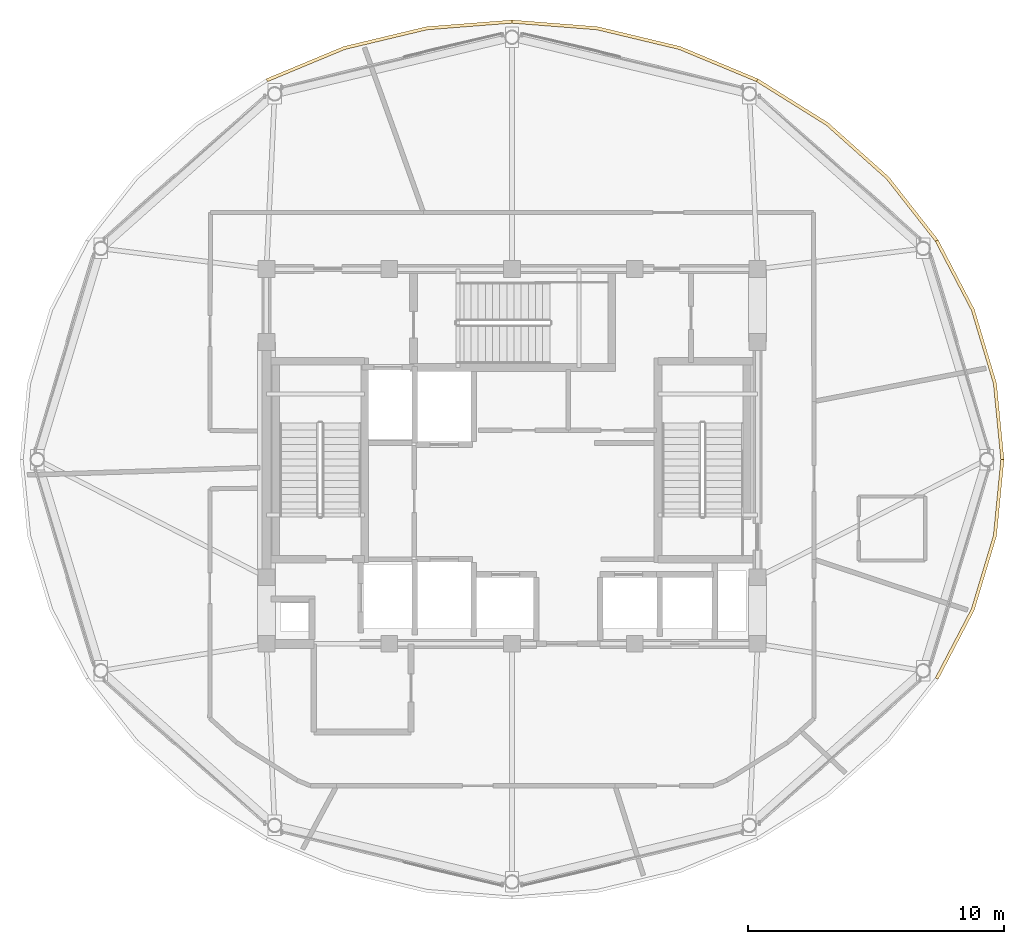
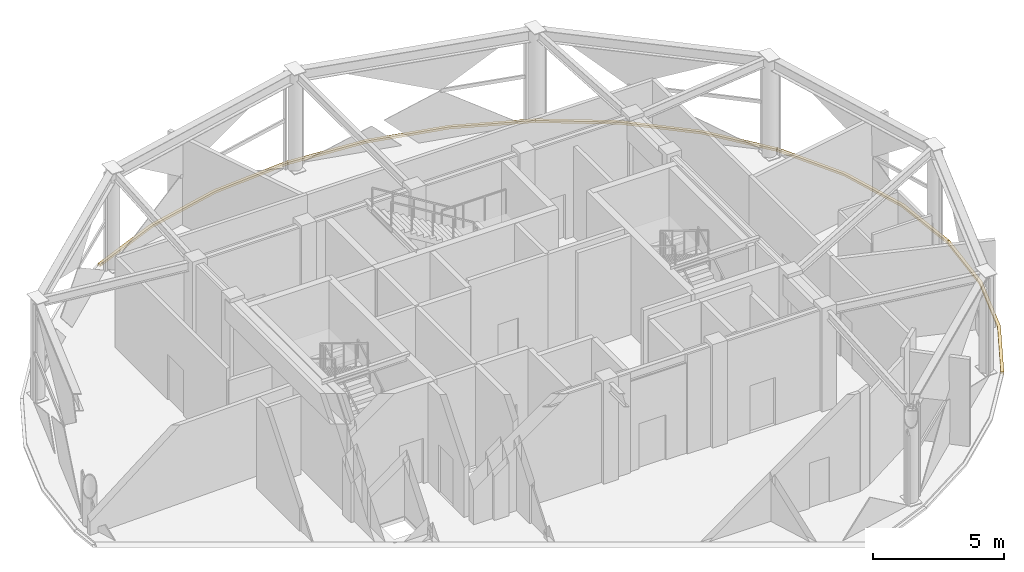
# One storey, part 22 of 22: 5 coverings.
"""IFC4 building model written with IfcOpenShell, lengths in metres."""

from ifc_helpers import new_model, si_unit, direction, frame, origin, place, context, subcontext, project, spatial, polyline, outline, extrude, material, layer, layer_set, type_object, element, save


model = new_model("IFC4")

# Units and contexts
model_context = context("Model", 3, precision=1e-05, world=origin(), true_north=direction((0.0, 1.0)))
body_context = subcontext(model_context, "Body", "Model", "MODEL_VIEW")
ifc_project = project(units=[si_unit("LENGTHUNIT", "METRE"), si_unit("AREAUNIT", "SQUARE_METRE"), si_unit("VOLUMEUNIT", "CUBIC_METRE"), si_unit("PLANEANGLEUNIT", "RADIAN"), si_unit("MASSUNIT", "GRAM", prefix="KILO")], contexts=[model_context])

# Site, building, storey
site_placement = place(None, origin())
site = spatial("IfcSite", under=ifc_project, at=site_placement, CompositionType="ELEMENT")
building_placement = place(site_placement, origin())
building = spatial("IfcBuilding", under=site, at=building_placement, Name="Vantalir Tower", CompositionType="ELEMENT")
storey_placement = place(building_placement, frame((0.0, 0.0, 294.89990234375)))
storey = spatial("IfcBuildingStorey", under=building, at=storey_placement, Name="L74", CompositionType="ELEMENT", Elevation=294.89990234375)

# Coverings
ifc_material = material(Name="Anodised champagne aluminium sill fascia", Category="aluminium")
ifc_layer = layer(ifc_material, 0.125)
ifc_layer_set = layer_set([ifc_layer], Name="Anodised champagne aluminium sill fascia")
covering_type = type_object("IfcCoveringType", Name="COV-SLAB-FASCIA-125", PredefinedType="CLADDING", material=ifc_layer_set)
covering_1_placement = place(storey_placement, frame((0.0, 0.0, -0.179931640625)))
element("IfcCovering", 1, at=covering_1_placement, inside=storey, type_object=covering_type, Name="L74 Perimeter Slab-Edge Sill Fascia 01", PredefinedType="CLADDING", context=body_context, shape_type="SweptSolid", body=[
    extrude(outline(polyline([(50.735107421875, 25.0), (50.443115234375, 27.98388671875), (49.574951171875, 30.8779296875), (48.157958984375, 33.593017578125), (48.050048828125, 33.531005859375), (49.4580078125, 30.8359375), (50.320068359375, 27.962890625), (50.610107421875, 25.0), (50.735107421875, 25.0)])), origin(), (0.0, 0.0, 1.0), 0.10498046875),
])
covering_2_placement = place(storey_placement, frame((0.0, 0.0, -0.179931640625)))
element("IfcCovering", 2, at=covering_2_placement, inside=storey, type_object=covering_type, Name="L74 Perimeter Slab-Edge Sill Fascia 02", PredefinedType="CLADDING", context=body_context, shape_type="SweptSolid", body=[
    extrude(outline(polyline([(48.157958984375, 33.593017578125), (46.235107421875, 36.048095703125), (43.864013671875, 38.166015625), (41.117919921875, 39.884033203125), (41.054931640625, 39.77587890625), (43.783935546875, 38.070068359375), (46.138916015625, 35.967041015625), (48.050048828125, 33.531005859375), (48.157958984375, 33.593017578125)])), origin(), (0.0, 0.0, 1.0), 0.10498046875),
])
covering_3_placement = place(storey_placement, frame((0.0, 0.0, -0.179931640625)))
element("IfcCovering", 3, at=covering_3_placement, inside=storey, type_object=covering_type, Name="L74 Perimeter Slab-Edge Sill Fascia 03", PredefinedType="CLADDING", context=body_context, shape_type="SweptSolid", body=[
    extrude(outline(polyline([(41.117919921875, 39.884033203125), (38.0791015625, 41.14990234375), (34.840087890625, 41.926025390625), (31.5, 42.18701171875), (31.5, 42.06201171875), (34.818115234375, 41.802978515625), (38.035888671875, 41.032958984375), (41.054931640625, 39.77587890625), (41.117919921875, 39.884033203125)])), origin(), (0.0, 0.0, 1.0), 0.10498046875),
])
covering_4_placement = place(storey_placement, frame((0.0, 0.0, -0.179931640625)))
element("IfcCovering", 4, at=covering_4_placement, inside=storey, type_object=covering_type, Name="L74 Perimeter Slab-Edge Sill Fascia 04", PredefinedType="CLADDING", context=body_context, shape_type="SweptSolid", body=[
    extrude(outline(polyline([(31.5, 42.18701171875), (28.159912109375, 41.926025390625), (24.9208984375, 41.14990234375), (21.883056640625, 39.884033203125), (21.945068359375, 39.77587890625), (24.964111328125, 41.032958984375), (28.181884765625, 41.802978515625), (31.5, 42.06201171875), (31.5, 42.18701171875)])), origin(), (0.0, 0.0, 1.0), 0.10498046875),
])
covering_5_placement = place(storey_placement, frame((0.0, 0.0, -0.179931640625)))
element("IfcCovering", 5, at=covering_5_placement, inside=storey, type_object=covering_type, Name="L74 Perimeter Slab-Edge Sill Fascia 12", PredefinedType="CLADDING", context=body_context, shape_type="SweptSolid", body=[
    extrude(outline(polyline([(48.157958984375, 16.406005859375), (49.574951171875, 19.1220703125), (50.443115234375, 22.01611328125), (50.735107421875, 25.0), (50.610107421875, 25.0), (50.320068359375, 22.037109375), (49.4580078125, 19.1640625), (48.050048828125, 16.468994140625), (48.157958984375, 16.406005859375)])), origin(), (0.0, 0.0, 1.0), 0.10498046875),
])

save(model, "model.ifc")
